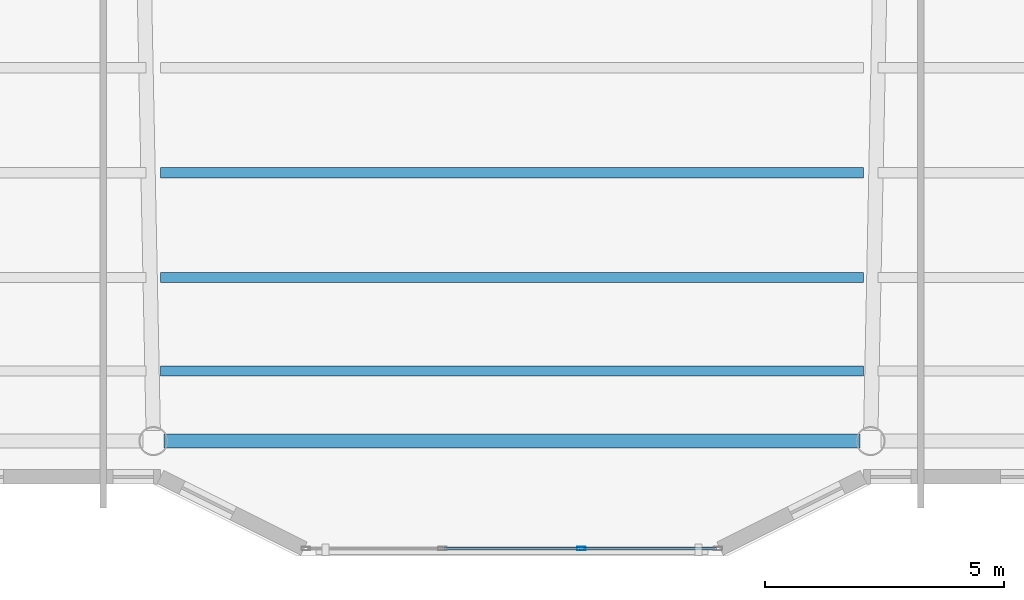
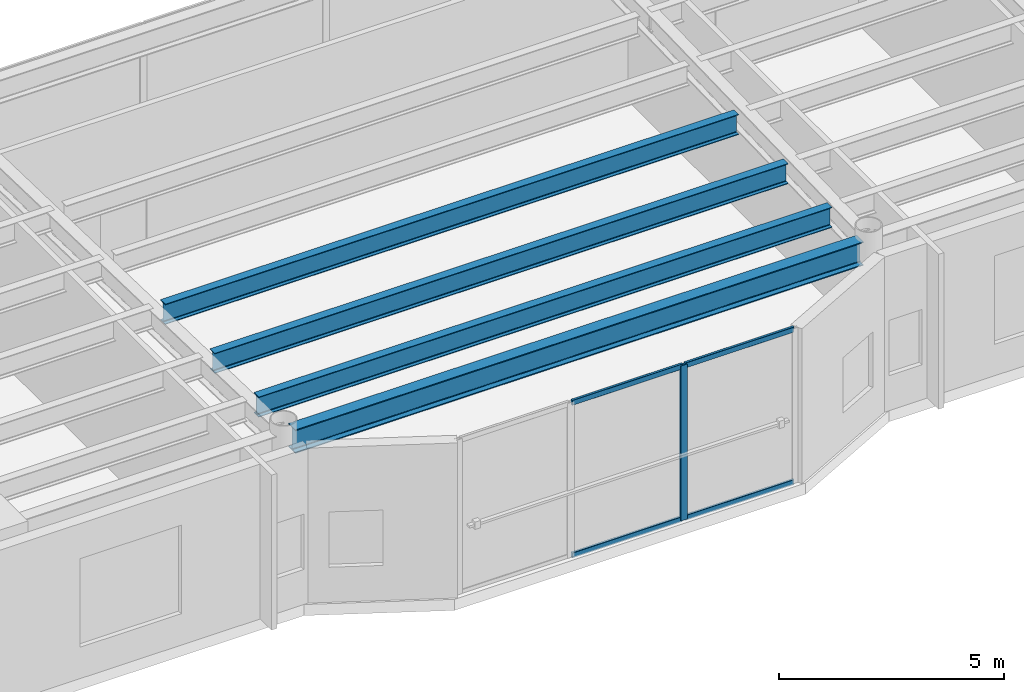
# One storey, part 4 of 39: 5 members, 4 beams, 1 element without a shape of its own.
"""IFC4 building model written with IfcOpenShell, lengths in metres."""

from ifc_helpers import new_model, si_unit, direction, frame, origin, origin_2d, place, context, subcontext, project, spatial, hollow_rectangle, i_section, extrude, material, layer, layer_set, material_profile, profile_set, type_object, element, aggregate, save


model = new_model("IFC4")

# Units and contexts
model_context = context("Model", 3, precision=1e-05, world=origin(), true_north=direction((0.0, 1.0)))
body_context = subcontext(model_context, "Body", "Model", "MODEL_VIEW")
ifc_project = project(units=[si_unit("LENGTHUNIT", "METRE"), si_unit("AREAUNIT", "SQUARE_METRE"), si_unit("VOLUMEUNIT", "CUBIC_METRE"), si_unit("PLANEANGLEUNIT", "RADIAN"), si_unit("MASSUNIT", "GRAM", prefix="KILO")], contexts=[model_context])

# Site, building, storey
site_placement = place(None, origin())
site = spatial("IfcSite", under=ifc_project, at=site_placement, CompositionType="ELEMENT")
building_placement = place(site_placement, origin())
building = spatial("IfcBuilding", under=site, at=building_placement, Name="Tarnavaz Court Tower", CompositionType="ELEMENT")
storey_placement = place(building_placement, frame((0.0, 0.0, 68.699951171875)))
storey = spatial("IfcBuildingStorey", under=building, at=storey_placement, Name="L18", CompositionType="ELEMENT", Elevation=68.699951171875)

# Beams
ifc_material_1 = material(Name="Steel S355", Category="steel")
ifc_material_profile_1 = material_profile(ifc_material_1, i_section(OverallWidth=0.2099609375, OverallDepth=0.550048828125, WebThickness=0.010986328125, FlangeThickness=0.01708984375, FilletRadius=0.02392578125, at=origin_2d()), Name="IPE 550")
ifc_profile_set_1 = profile_set([ifc_material_profile_1], Name="Steel S355")
beam_type_1 = type_object("IfcBeamType", Name="BM-J-IPE550", PredefinedType="JOIST", material=ifc_profile_set_1)
for number, where, z_axis, x_axis, name in (
    (1, (-7.35009765625, -17.18798828125, 3.925048828125), (1.0, 0.0, 0.0), (0.0, 1.0, 0.0), "L18 Beam JS3-2"),
    (2, (-7.35009765625, -19.384033203125, 3.925048828125), (1.0, 0.0, 0.0), (0.0, 1.0, 0.0), "L18 Beam JS4-2"),
    (3, (-7.35009765625, -21.3359375, 3.925048828125), (1.0, 0.0, 0.0), (0.0, 1.0, 0.0), "L18 Beam JS5-2"),
):
    element("IfcBeam", number, at=place(storey_placement, frame(where, z_axis=z_axis, x_axis=x_axis)), inside=storey, type_object=beam_type_1, Name=name, PredefinedType="JOIST", context=body_context, shape_type="SweptSolid", body=[
        extrude(i_section(OverallWidth=0.2099609375, OverallDepth=0.550048828125, WebThickness=0.010986328125, FlangeThickness=0.01708984375, FilletRadius=0.02392578125, at=origin_2d()), origin(), (0.0, 0.0, 1.0), 14.7001953125),
    ])
ifc_material_profile_2 = material_profile(ifc_material_1, i_section(OverallWidth=0.300048828125, OverallDepth=0.639892578125, WebThickness=0.013427734375, FlangeThickness=0.02587890625, FilletRadius=0.027099609375, at=origin_2d()), Name="HEA 650")
ifc_profile_set_2 = profile_set([ifc_material_profile_2], Name="Steel S355")
beam_type_2 = type_object("IfcBeamType", Name="BM-SP-HEA650", PredefinedType="SPANDREL", material=ifc_profile_set_2)
beam_placement = place(storey_placement, frame((-7.280029296875, -22.800048828125, 3.880126953125), z_axis=(1.0, 0.0, 0.0), x_axis=(0.0, 1.0, 0.0)))
element("IfcBeam", 4, at=beam_placement, inside=storey, type_object=beam_type_2, Name="L18 Beam PR-PS-2-PS-3", PredefinedType="SPANDREL", context=body_context, shape_type="SweptSolid", body=[
    extrude(i_section(OverallWidth=0.300048828125, OverallDepth=0.639892578125, WebThickness=0.013427734375, FlangeThickness=0.02587890625, FilletRadius=0.027099609375, at=origin_2d()), origin(), (0.0, 0.0, 1.0), 14.56005859375),
])

# Curtain wall, members
ifc_material_2 = material(Name="Anodised Aluminium 6063-T6 and Solar Low-E Glazing", Category="aluminium")
ifc_layer = layer(ifc_material_2, 0.179931640625)
ifc_layer_set = layer_set([ifc_layer], Name="Anodised Aluminium 6063-T6 and Solar Low-E Glazing")
curtain_wall_type = type_object("IfcCurtainWallType", Name="CW-SYS-02", PredefinedType="NOTDEFINED", material=ifc_layer_set)
curtain_wall_placement = place(storey_placement, origin())
curtain_wall = element("IfcCurtainWall", 5, at=curtain_wall_placement, inside=storey, type_object=curtain_wall_type, Name="L18 Iwan Prow Curtain Wall 17", PredefinedType="NOTDEFINED")
ifc_material_3 = material(Name="Anodised Aluminium 6063-T6", Category="aluminium")
ifc_material_profile_3 = material_profile(ifc_material_3, hollow_rectangle(XDim=0.074951171875, YDim=0.179931640625, WallThickness=0.0048828125, InnerFilletRadius=0.0048828125, OuterFilletRadius=0.010009765625, at=origin_2d()), Name="ALU RHS 180X75X5")
ifc_profile_set_3 = profile_set([ifc_material_profile_3], Name="Anodised Aluminium 6063-T6")
member_type_1 = type_object("IfcMemberType", Name="CW-MUL-180", PredefinedType="MULLION", material=ifc_profile_set_3)
member_1_placement = place(storey_placement, frame((1.449951171875, -25.050048828125, 0.0), z_axis=(0.0, 0.0, 1.0), x_axis=(0.0, -1.0, 0.0)))
member_1 = element("IfcMember", 6, at=member_1_placement, type_object=member_type_1, Name="CW mullion 2", PredefinedType="MULLION", context=body_context, shape_type="SweptSolid", body=[
    extrude(hollow_rectangle(XDim=0.074951171875, YDim=0.179931640625, WallThickness=0.0048828125, InnerFilletRadius=0.0048828125, OuterFilletRadius=0.010009765625, at=origin_2d()), origin(), (0.0, 0.0, 1.0), 4.199951171875),
])
ifc_material_profile_4 = material_profile(ifc_material_3, hollow_rectangle(XDim=0.06494140625, YDim=0.139892578125, WallThickness=0.00390625, InnerFilletRadius=0.00390625, OuterFilletRadius=0.008056640625, at=origin_2d()), Name="ALU RHS 140X65X4")
ifc_profile_set_4 = profile_set([ifc_material_profile_4], Name="Anodised Aluminium 6063-T6")
member_type_2 = type_object("IfcMemberType", Name="CW-TRN-140", PredefinedType="USERDEFINED", material=ifc_profile_set_4)
member_2_placement = place(storey_placement, frame((4.27490234375, -25.050048828125, 0.032470703125), z_axis=(-1.0, 0.0, 0.0), x_axis=(0.0, -1.0, 0.0)))
member_2 = element("IfcMember", 7, at=member_2_placement, type_object=member_type_2, Name="CW transom 1.1", ObjectType="TRANSOM", PredefinedType="USERDEFINED", context=body_context, shape_type="SweptSolid", body=[
    extrude(hollow_rectangle(XDim=0.06494140625, YDim=0.139892578125, WallThickness=0.00390625, InnerFilletRadius=0.00390625, OuterFilletRadius=0.008056640625, at=origin_2d()), origin(), (0.0, 0.0, 1.0), 2.787353515625),
])
member_3_placement = place(storey_placement, frame((4.27490234375, -25.050048828125, 4.16748046875), z_axis=(-1.0, 0.0, 0.0), x_axis=(0.0, -1.0, 0.0)))
member_3 = element("IfcMember", 8, at=member_3_placement, type_object=member_type_2, Name="CW transom 1.2", ObjectType="TRANSOM", PredefinedType="USERDEFINED", context=body_context, shape_type="SweptSolid", body=[
    extrude(hollow_rectangle(XDim=0.06494140625, YDim=0.139892578125, WallThickness=0.00390625, InnerFilletRadius=0.00390625, OuterFilletRadius=0.008056640625, at=origin_2d()), origin(), (0.0, 0.0, 1.0), 2.787353515625),
])
member_4_placement = place(storey_placement, frame((1.41259765625, -25.050048828125, 0.032470703125), z_axis=(-1.0, 0.0, 0.0), x_axis=(0.0, -1.0, 0.0)))
member_4 = element("IfcMember", 9, at=member_4_placement, type_object=member_type_2, Name="CW transom 2.1", ObjectType="TRANSOM", PredefinedType="USERDEFINED", context=body_context, shape_type="SweptSolid", body=[
    extrude(hollow_rectangle(XDim=0.06494140625, YDim=0.139892578125, WallThickness=0.00390625, InnerFilletRadius=0.00390625, OuterFilletRadius=0.008056640625, at=origin_2d()), origin(), (0.0, 0.0, 1.0), 2.8251953125),
])
member_5_placement = place(storey_placement, frame((1.41259765625, -25.050048828125, 4.16748046875), z_axis=(-1.0, 0.0, 0.0), x_axis=(0.0, -1.0, 0.0)))
member_5 = element("IfcMember", 10, at=member_5_placement, type_object=member_type_2, Name="CW transom 2.2", ObjectType="TRANSOM", PredefinedType="USERDEFINED", context=body_context, shape_type="SweptSolid", body=[
    extrude(hollow_rectangle(XDim=0.06494140625, YDim=0.139892578125, WallThickness=0.00390625, InnerFilletRadius=0.00390625, OuterFilletRadius=0.008056640625, at=origin_2d()), origin(), (0.0, 0.0, 1.0), 2.8251953125),
])
aggregate(curtain_wall, [member_1, member_2, member_3, member_4, member_5])

save(model, "model.ifc")
